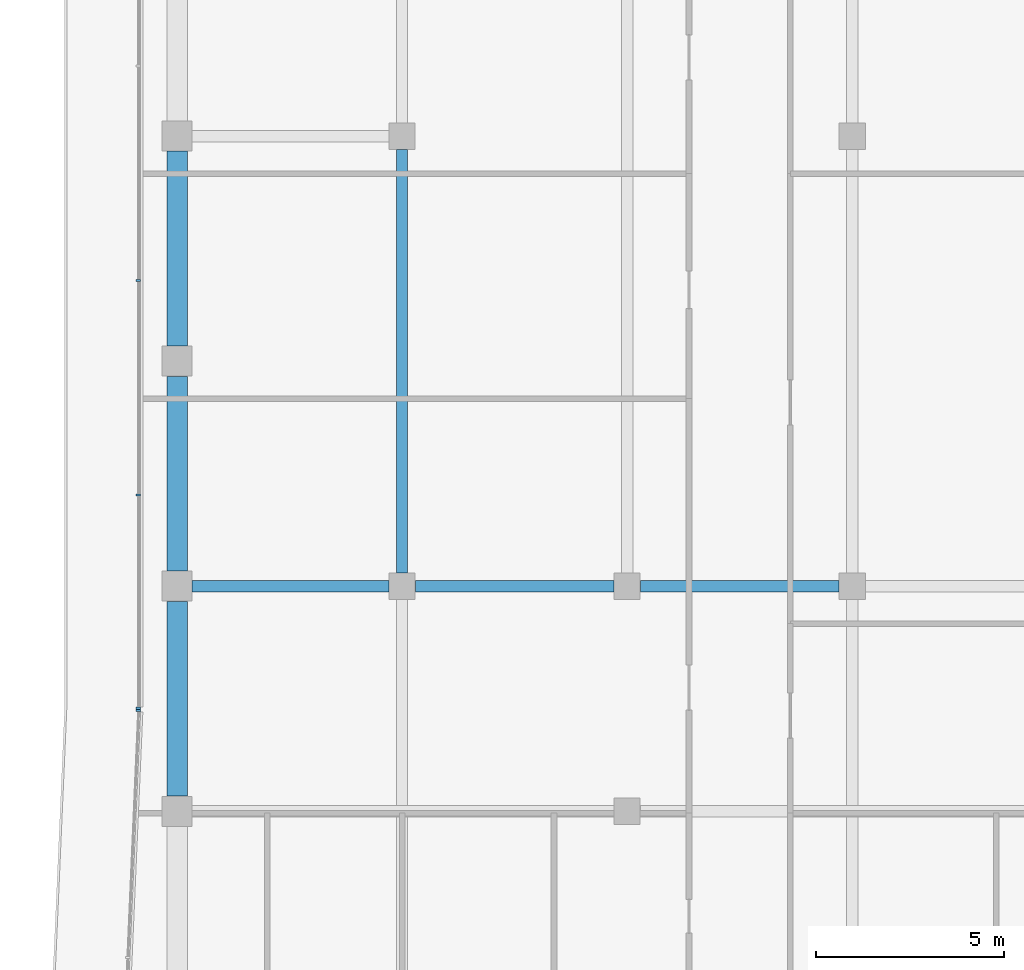
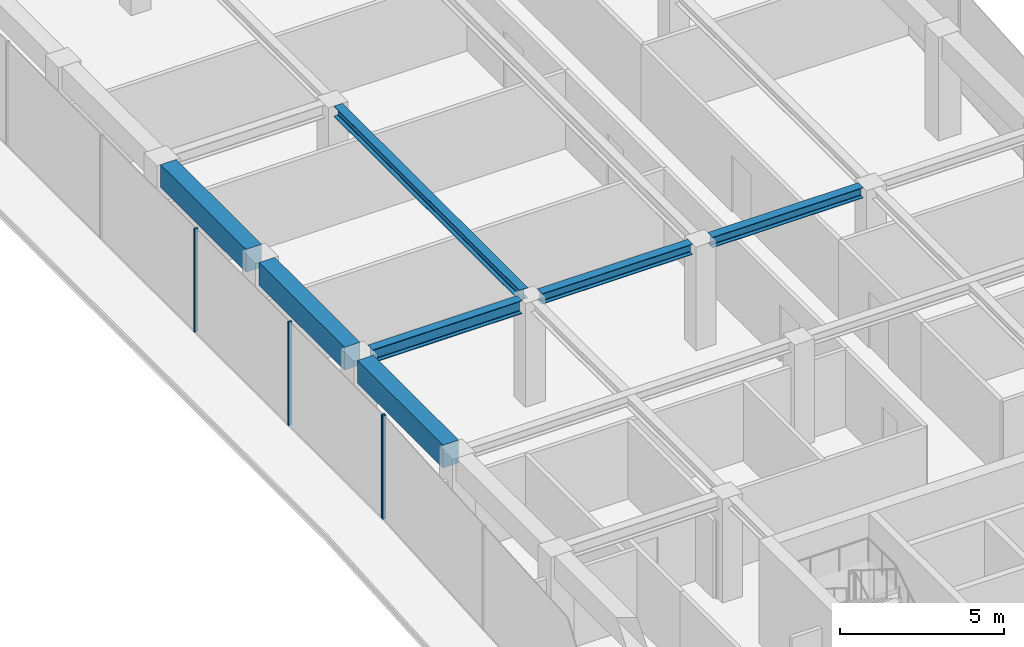
# One storey, part 7 of 20: 7 beams, 4 members, 2 elements without a shape of their own.
"""IFC4 building model written with IfcOpenShell, lengths in metres."""

from ifc_helpers import new_model, si_unit, direction, frame, origin, origin_2d, place, context, subcontext, project, spatial, rectangle, i_section, extrude, material, layer, layer_set, material_profile, profile_set, type_object, element, aggregate, save


model = new_model("IFC4")

# Units and contexts
model_context = context("Model", 3, precision=1e-05, world=origin(), true_north=direction((0.0, 1.0)))
body_context = subcontext(model_context, "Body", "Model", "MODEL_VIEW")
ifc_project = project(units=[si_unit("LENGTHUNIT", "METRE"), si_unit("AREAUNIT", "SQUARE_METRE"), si_unit("VOLUMEUNIT", "CUBIC_METRE"), si_unit("PLANEANGLEUNIT", "RADIAN"), si_unit("MASSUNIT", "GRAM", prefix="KILO")], contexts=[model_context])

# Site, building, storey
site_placement = place(None, origin())
site = spatial("IfcSite", under=ifc_project, at=site_placement, CompositionType="ELEMENT")
building_placement = place(site_placement, origin())
building = spatial("IfcBuilding", under=site, at=building_placement, Name="Welwitschia Terrace Campus", CompositionType="ELEMENT")
storey_placement = place(building_placement, frame((0.0, 0.0, 239.0)))
storey = spatial("IfcBuildingStorey", under=building, at=storey_placement, Name="L53", CompositionType="ELEMENT", Elevation=239.0)

# Beams
ifc_material_1 = material(Name="Steel S355", Category="steel")
ifc_material_profile_1 = material_profile(ifc_material_1, i_section(OverallWidth=0.300048828125, OverallDepth=0.389892578125, WebThickness=0.010986328125, FlangeThickness=0.01904296875, FilletRadius=0.027099609375, at=origin_2d()))
ifc_profile_set_1 = profile_set([ifc_material_profile_1], Name="Steel S355")
beam_type_1 = type_object("IfcBeamType", Name="Interior girder HE 400 A", PredefinedType="BEAM", material=ifc_profile_set_1)
for number, where, z_axis, x_axis, name in (
    (1, (6.3505859375, 40.0, 3.655029296875), (1.0, 0.0, 0.0), (0.0, 1.0, 0.0), "Girder GB5"),
    (2, (12.3505859375, 40.0, 3.655029296875), (1.0, 0.0, 0.0), (0.0, 1.0, 0.0), "Girder GB5"),
):
    element("IfcBeam", number, at=place(storey_placement, frame(where, z_axis=z_axis, x_axis=x_axis)), inside=storey, type_object=beam_type_1, Name=name, PredefinedType="BEAM", context=body_context, shape_type="SweptSolid", body=[
        extrude(i_section(OverallWidth=0.300048828125, OverallDepth=0.389892578125, WebThickness=0.010986328125, FlangeThickness=0.01904296875, FilletRadius=0.027099609375, at=origin_2d()), origin(), (0.0, 0.0, 1.0), 5.298828125),
    ])
beam_1_placement = place(storey_placement, frame((6.0, 40.3505859375, 3.655029296875), z_axis=(0.0, 1.0, 0.0), x_axis=(-1.0, 0.0, 0.0)))
element("IfcBeam", 3, at=beam_1_placement, inside=storey, type_object=beam_type_1, Name="Girder GB5", PredefinedType="BEAM", context=body_context, shape_type="SweptSolid", body=[
    extrude(i_section(OverallWidth=0.300048828125, OverallDepth=0.389892578125, WebThickness=0.010986328125, FlangeThickness=0.01904296875, FilletRadius=0.027099609375, at=origin_2d()), origin(), (0.0, 0.0, 1.0), 11.298828125),
])

# Curtain wall, member
ifc_material_2 = material(Name="Bronze anodised aluminium", Category="aluminium")
ifc_layer = layer(ifc_material_2, 0.1201171875)
ifc_layer_set = layer_set([ifc_layer], Name="Bronze anodised aluminium")
curtain_wall_type = type_object("IfcCurtainWallType", Name="Curtain wall CW2 tower 6000", PredefinedType="NOTDEFINED", material=ifc_layer_set)
curtain_wall_1_placement = place(storey_placement, origin())
curtain_wall_1 = element("IfcCurtainWall", 4, at=curtain_wall_1_placement, inside=storey, type_object=curtain_wall_type, Name="CW L53.0.0", PredefinedType="NOTDEFINED")
ifc_material_3 = material(Name="Bronze anodised aluminium", Category="aluminium")
ifc_material_profile_2 = material_profile(ifc_material_3, rectangle(XDim=0.1201171875, YDim=0.06005859375, at=origin_2d()))
ifc_profile_set_2 = profile_set([ifc_material_profile_2], Name="Bronze anodised aluminium")
member_type = type_object("IfcMemberType", Name="Mullion 60x120", PredefinedType="MULLION", material=ifc_profile_set_2)
member_1_placement = place(storey_placement, frame((-1.03125, 36.685546875, 0.0), z_axis=(0.0, 0.0, 1.0), x_axis=(0.999048221582, -0.043619387365, 0.0)))
member_1 = element("IfcMember", 5, at=member_1_placement, type_object=member_type, Name="Mullion L53.0.0.0", PredefinedType="MULLION", context=body_context, shape_type="SweptSolid", body=[
    extrude(rectangle(XDim=0.1201171875, YDim=0.06005859375, at=origin_2d()), origin(), (0.0, 0.0, 1.0), 3.85009765625),
])
aggregate(curtain_wall_1, [member_1])

# Curtain wall, members
curtain_wall_2_placement = place(storey_placement, origin())
curtain_wall_2 = element("IfcCurtainWall", 6, at=curtain_wall_2_placement, inside=storey, type_object=curtain_wall_type, Name="CW L53.10.0", PredefinedType="NOTDEFINED")
member_2_placement = place(storey_placement, frame((-1.030029296875, 48.153564453125, 0.0), z_axis=(0.0, 0.0, 1.0), x_axis=(1.0, 0.0, 0.0)))
member_2 = element("IfcMember", 7, at=member_2_placement, type_object=member_type, Name="Mullion L53.10.0.4", PredefinedType="MULLION", context=body_context, shape_type="SweptSolid", body=[
    extrude(rectangle(XDim=0.1201171875, YDim=0.06005859375, at=origin_2d()), origin(), (0.0, 0.0, 1.0), 3.85009765625),
])
member_3_placement = place(storey_placement, frame((-1.030029296875, 42.4345703125, 0.0), z_axis=(0.0, 0.0, 1.0), x_axis=(1.0, 0.0, 0.0)))
member_3 = element("IfcMember", 8, at=member_3_placement, type_object=member_type, Name="Mullion L53.10.0.5", PredefinedType="MULLION", context=body_context, shape_type="SweptSolid", body=[
    extrude(rectangle(XDim=0.1201171875, YDim=0.06005859375, at=origin_2d()), origin(), (0.0, 0.0, 1.0), 3.85009765625),
])
member_4_placement = place(storey_placement, frame((-1.030029296875, 36.745361328125, 0.0), z_axis=(0.0, 0.0, 1.0), x_axis=(1.0, 0.0, 0.0)))
member_4 = element("IfcMember", 9, at=member_4_placement, type_object=member_type, Name="Mullion L53.10.0.6", PredefinedType="MULLION", context=body_context, shape_type="SweptSolid", body=[
    extrude(rectangle(XDim=0.1201171875, YDim=0.06005859375, at=origin_2d()), origin(), (0.0, 0.0, 1.0), 3.85009765625),
])
aggregate(curtain_wall_2, [member_2, member_3, member_4])

# Beams
ifc_material_4 = material(Name="Steel S355", Category="steel")
ifc_material_profile_3 = material_profile(ifc_material_4, i_section(OverallWidth=0.300048828125, OverallDepth=0.489990234375, WebThickness=0.011962890625, FlangeThickness=0.02294921875, FilletRadius=0.027099609375, at=origin_2d()))
ifc_profile_set_3 = profile_set([ifc_material_profile_3], Name="Steel S355")
beam_type_2 = type_object("IfcBeamType", Name="Primary beam HE 500 A", PredefinedType="BEAM", material=ifc_profile_set_3)
beam_2_placement = place(storey_placement, frame((0.400390625, 40.0, 3.60498046875), z_axis=(1.0, 0.0, 0.0), x_axis=(0.0, 1.0, 0.0)))
element("IfcBeam", 10, at=beam_2_placement, inside=storey, type_object=beam_type_2, Name="Primary beam PB5", PredefinedType="BEAM", context=body_context, shape_type="SweptSolid", body=[
    extrude(i_section(OverallWidth=0.300048828125, OverallDepth=0.489990234375, WebThickness=0.011962890625, FlangeThickness=0.02294921875, FilletRadius=0.027099609375, at=origin_2d()), origin(), (0.0, 0.0, 1.0), 5.2490234375),
])
ifc_material_5 = material(Name="Concrete C50/60", Category="concrete")
ifc_material_profile_4 = material_profile(ifc_material_5, rectangle(XDim=0.550048828125, YDim=0.85009765625, at=origin_2d()))
ifc_profile_set_4 = profile_set([ifc_material_profile_4], Name="Concrete C50/60")
beam_type_3 = type_object("IfcBeamType", Name="Ring spandrel 550x850", PredefinedType="SPANDREL", material=ifc_profile_set_4)
for number, where, z_axis, x_axis, name in (
    (11, (0.0, 51.599609375, 3.425048828125), (0.0, -1.0, 0.0), (1.0, 0.0, 0.0), "Spandrel SP3"),
    (12, (0.0, 45.599609375, 3.425048828125), (0.0, -1.0, 0.0), (1.0, 0.0, 0.0), "Spandrel SP3"),
    (13, (0.0, 39.599609375, 3.425048828125), (0.0, -1.0, 0.0), (1.0, 0.0, 0.0), "Spandrel SP3"),
):
    element("IfcBeam", number, at=place(storey_placement, frame(where, z_axis=z_axis, x_axis=x_axis)), inside=storey, type_object=beam_type_3, Name=name, PredefinedType="SPANDREL", context=body_context, shape_type="SweptSolid", body=[
        extrude(rectangle(XDim=0.550048828125, YDim=0.85009765625, at=origin_2d()), origin(), (0.0, 0.0, 1.0), 5.19921875),
    ])

save(model, "model.ifc")
